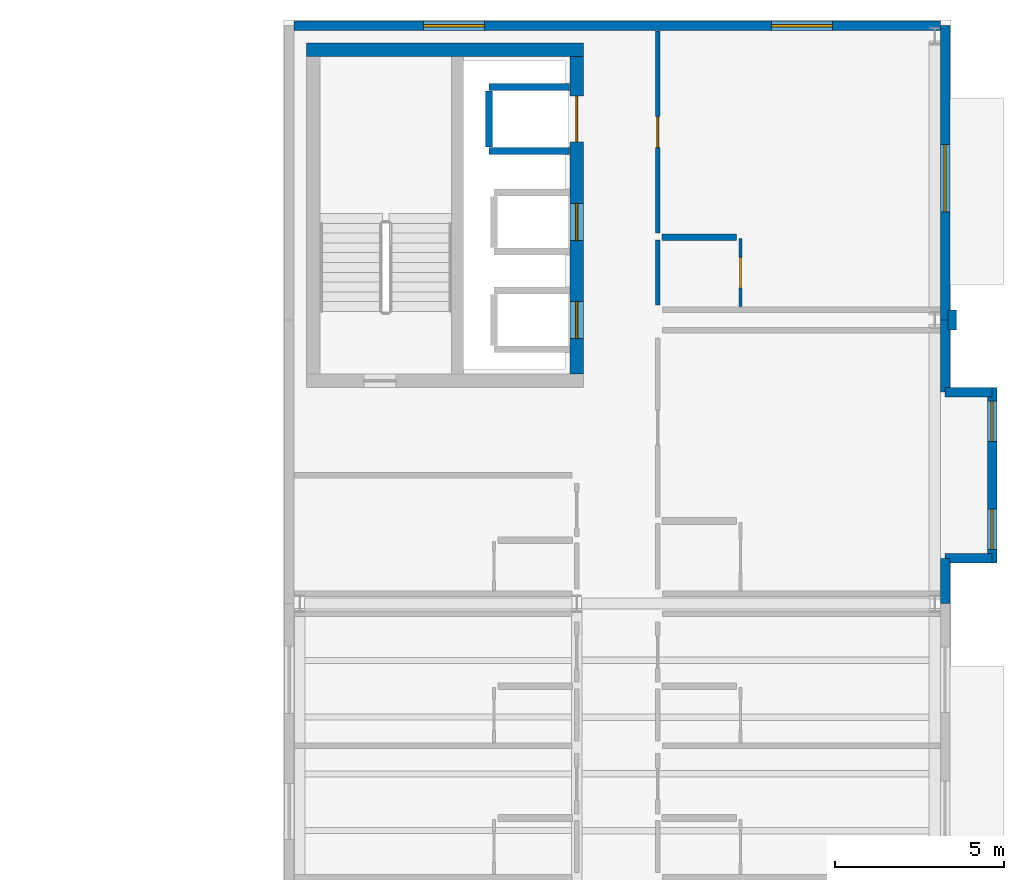
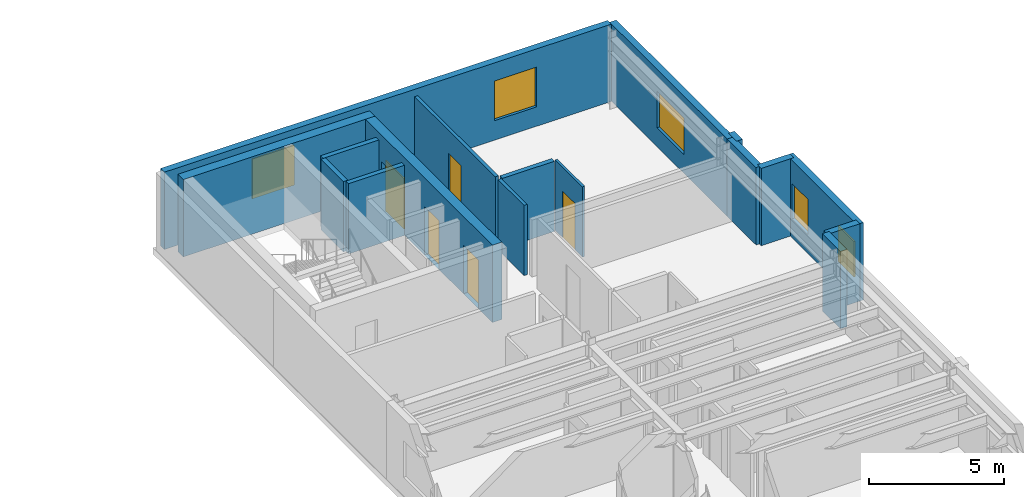
# One storey, part 12 of 17: 17 walls, 5 doors, 5 windows, 10 openings.
"""IFC4 building model written with IfcOpenShell, lengths in metres."""

import ifcopenshell
import ifcopenshell.guid

model = None  # the IFC model being written
_history = None  # IfcOwnerHistory: only IFC2X3 demands one
_inside = {}  # id of a spatial element -> (the spatial element, [elements in it])
_under = {}  # id of a project, library or spatial element -> (it, [spatial elements below it])
_declared = {}  # id of a project -> (the project, [libraries it declares])
_typed = {}  # id of a type object -> (the type object, [elements of that type])
_made_of = {}  # id of a material, layer set ... -> (it, [elements and type objects made of it])


def new_model(schema):
    """Start an empty IFC model of exactly this schema.

    Asked for "IFC4X3", IfcOpenShell would pick the latest addendum, in which some entities
    have other attributes; the version numbers below select the first issue.
    IFC2X3 requires an IfcOwnerHistory on every rooted entity: one is made here for all.
    """
    global model, _history
    if schema == "IFC4X3":
        model = ifcopenshell.file(schema_version=(4, 3, 0, 0))
    else:
        model = ifcopenshell.file(schema=schema)
    _inside.clear()
    _under.clear()
    _declared.clear()
    _typed.clear()
    _made_of.clear()
    _history = None
    if model.schema == "IFC2X3":
        org = make("IfcOrganization", Name="unknown")
        user = make(
            "IfcPersonAndOrganization",
            ThePerson=make("IfcPerson", FamilyName="unknown"),
            TheOrganization=org,
        )
        app = make(
            "IfcApplication",
            ApplicationDeveloper=org,
            Version="unknown",
            ApplicationFullName="unknown",
            ApplicationIdentifier="unknown",
        )
        _history = make(
            "IfcOwnerHistory",
            OwningUser=user,
            OwningApplication=app,
            ChangeAction="ADDED",
            CreationDate=0,
        )
    return model


def make(cls, **values):
    """One entity of the class cls with the attributes given. An attribute that is None is left unset."""
    return model.create_entity(
        cls, **{name: value for name, value in values.items() if value is not None}
    )


def rooted(cls, **values):
    """An entity with a GlobalId (a new one), such as an element, a storey or a relation."""
    return make(cls, GlobalId=ifcopenshell.guid.new(), OwnerHistory=_history, **values)


def si_unit(unit_type, name, prefix=None):
    """IfcSIUnit, for example si_unit("LENGTHUNIT", "METRE", prefix="MILLI")."""
    return make("IfcSIUnit", UnitType=unit_type, Prefix=prefix, Name=name)


def assignment(units):
    """IfcUnitAssignment: the units of a project."""
    return None if units is None else make("IfcUnitAssignment", Units=units)


def point(xyz):
    """IfcCartesianPoint."""
    return None if xyz is None else make("IfcCartesianPoint", Coordinates=xyz)


def direction(xyz):
    """IfcDirection."""
    return None if xyz is None else make("IfcDirection", DirectionRatios=xyz)


def frame(location, z_axis=None, x_axis=None):
    """IfcAxis2Placement3D, a coordinate frame: its origin and axes. An axis left out is left unset."""
    return make(
        "IfcAxis2Placement3D",
        Location=point(location),
        Axis=direction(z_axis),
        RefDirection=direction(x_axis),
    )


def frame_2d(location, x_axis=None):
    """IfcAxis2Placement2D, a coordinate frame in the plane: its origin and x axis."""
    return make(
        "IfcAxis2Placement2D", Location=point(location), RefDirection=direction(x_axis)
    )


def origin():
    """The frame at (0, 0, 0) with its axes left unset."""
    return frame((0.0, 0.0, 0.0))


def place(relative_to, where):
    """IfcLocalPlacement: puts the frame where relative to a parent placement (None: the world)."""
    return make(
        "IfcLocalPlacement", PlacementRelTo=relative_to, RelativePlacement=where
    )


def context(
    kind, dimensions, precision=None, world=None, true_north=None, identifier=None
):
    """IfcGeometricRepresentationContext, for example the 3D "Model" context."""
    return make(
        "IfcGeometricRepresentationContext",
        ContextIdentifier=identifier,
        ContextType=kind,
        CoordinateSpaceDimension=dimensions,
        Precision=precision,
        WorldCoordinateSystem=world,
        TrueNorth=true_north,
    )


def subcontext(parent, identifier, kind, view, scale=None):
    """IfcGeometricRepresentationSubContext, for example "Body" below "Model"."""
    return make(
        "IfcGeometricRepresentationSubContext",
        ContextIdentifier=identifier,
        ContextType=kind,
        ParentContext=parent,
        TargetScale=scale,
        TargetView=view,
    )


def project(units=None, contexts=None):
    """IfcProject with its units and contexts."""
    return rooted(
        "IfcProject",
        Name="project",
        RepresentationContexts=contexts,
        UnitsInContext=assignment(units),
    )


def spatial(cls, under=None, at=None, **own):
    """A site, building, storey or space (cls), placed at a placement, below another one or the project."""
    s = rooted(cls, ObjectPlacement=at, **own)
    if under is not None:
        _under.setdefault(under.id(), (under, []))[1].append(s)
    return s


def profile(cls, at=None, kind="AREA", **sizes):
    """A parametric profile (cls). Its sizes go by their IFC names, for example OverallWidth=200.0."""
    return make(cls, ProfileType=kind, Position=at, **sizes)


def rectangle(**sizes):
    """IfcRectangleProfileDef."""
    return profile("IfcRectangleProfileDef", **sizes)


def extrude(swept, where, along, depth):
    """IfcExtrudedAreaSolid: the profile swept, set in the frame where, extruded along a direction by depth."""
    return make(
        "IfcExtrudedAreaSolid",
        SweptArea=swept,
        Position=where,
        ExtrudedDirection=direction(along),
        Depth=depth,
    )


def shape(context_of_items, identifier, shape_type, items):
    """IfcShapeRepresentation: the items that make up one representation, for example the "Body"."""
    return make(
        "IfcShapeRepresentation",
        ContextOfItems=context_of_items,
        RepresentationIdentifier=identifier,
        RepresentationType=shape_type,
        Items=items,
    )


def material(Name=None, Category=None):
    """IfcMaterial."""
    return make("IfcMaterial", Name=Name, Category=Category)


def layer(
    of_material, thickness, ventilated=None, Name=None, Category=None, Priority=None
):
    """IfcMaterialLayer: one layer of a wall or slab, of a material (None: an air gap)."""
    return make(
        "IfcMaterialLayer",
        Material=of_material,
        LayerThickness=thickness,
        IsVentilated=ventilated,
        Name=Name,
        Category=Category,
        Priority=Priority,
    )


def layer_set(layers, Name=None):
    """IfcMaterialLayerSet."""
    return make("IfcMaterialLayerSet", MaterialLayers=layers, LayerSetName=Name)


def made_of(thing, what):
    """Note that an element or type object is made of a material, layer set ...; save() writes the relation."""
    if what is not None:
        _made_of.setdefault(what.id(), (what, []))[1].append(thing)
    return thing


def type_object(cls, material=None, **own):
    """A type object (cls), such as IfcWallType, which elements share."""
    return made_of(rooted(cls, **own), material)


def element(
    cls,
    number,
    at=None,
    inside=None,
    cuts=None,
    type_object=None,
    material=None,
    context=None,
    identifier="Body",
    shape_type=None,
    held_by="IfcProductDefinitionShape",
    body=None,
    shapes=None,
    **own,
):
    """One element of the class cls, such as IfcWall. Its Tag is "e" and its number.

    at: its placement. inside: the storey or other place that contains it. cuts: it is an
    opening in that element (IfcRelVoidsElement). A single representation is given by context,
    identifier, shape_type and body (its items); several are given by shapes. held_by: the class
    of the entity that holds the representations. save() writes the other relations.
    """
    e = rooted(cls, Tag="e%d" % number, ObjectPlacement=at, **own)
    if body is not None:
        shapes = [shape(context, identifier, shape_type, body)]
    if shapes is not None:
        e.Representation = make(held_by, Representations=shapes)
    if inside is not None:
        _inside.setdefault(inside.id(), (inside, []))[1].append(e)
    if cuts is not None:
        rooted(
            "IfcRelVoidsElement", RelatingBuildingElement=cuts, RelatedOpeningElement=e
        )
    if type_object is not None:
        _typed.setdefault(type_object.id(), (type_object, []))[1].append(e)
    return made_of(e, material)


def fill(opening, filler):
    """IfcRelFillsElement: the door or window that sits in an opening."""
    return rooted(
        "IfcRelFillsElement",
        RelatingOpeningElement=opening,
        RelatedBuildingElement=filler,
    )


def aggregate(whole, parts):
    """IfcRelAggregates: a whole, such as a stair, and the parts it consists of."""
    return rooted("IfcRelAggregates", RelatingObject=whole, RelatedObjects=parts)


def save(model, path):
    """Write the relations noted so far, then the file.

    IfcRelAggregates (storeys below a building ...), IfcRelContainedInSpatialStructure (elements
    in a storey), IfcRelDefinesByType, IfcRelAssociatesMaterial and IfcRelDeclares: one each for
    every whole, place, type object, material and project.
    """
    for whole, parts in _under.values():
        aggregate(whole, parts)
    for where, things in _inside.values():
        rooted(
            "IfcRelContainedInSpatialStructure",
            RelatedElements=things,
            RelatingStructure=where,
        )
    for kind, things in _typed.values():
        rooted("IfcRelDefinesByType", RelatedObjects=things, RelatingType=kind)
    for what, things in _made_of.values():
        rooted("IfcRelAssociatesMaterial", RelatedObjects=things, RelatingMaterial=what)
    for by, libraries in _declared.values():
        rooted("IfcRelDeclares", RelatingContext=by, RelatedDefinitions=libraries)
    model.write(path)


model = new_model("IFC4")

# Units and contexts
model_context = context("Model", 3, precision=1e-05, world=origin(), true_north=direction((0.0, 1.0)))
body_context = subcontext(model_context, "Body", "Model", "MODEL_VIEW")
ifc_project = project(units=[si_unit("LENGTHUNIT", "METRE"), si_unit("AREAUNIT", "SQUARE_METRE"), si_unit("VOLUMEUNIT", "CUBIC_METRE"), si_unit("PLANEANGLEUNIT", "RADIAN"), si_unit("MASSUNIT", "GRAM", prefix="KILO")], contexts=[model_context])

# Site, building, storey
site_placement = place(None, origin())
site = spatial("IfcSite", under=ifc_project, at=site_placement, CompositionType="ELEMENT")
building_placement = place(site_placement, origin())
building = spatial("IfcBuilding", under=site, at=building_placement, Name="Sollismere Congress Hotel", CompositionType="ELEMENT")
storey_placement = place(building_placement, frame((0.0, 0.0, 41.10009765625)))
storey = spatial("IfcBuildingStorey", under=building, at=storey_placement, Name="L10", CompositionType="ELEMENT", Elevation=41.10009765625)

# Walls
ifc_material_1 = material(Name="Colorado Buff Sandstone Rainscreen on Insulated Backup", Category="masonry")
ifc_layer_1 = layer(ifc_material_1, 0.284912109375, Name="Colorado Buff Sandstone Rainscreen on Insulated Backup")
ifc_layer_set_1 = layer_set([ifc_layer_1], Name="Colorado Buff Sandstone Rainscreen on Insulated Backup")
wall_type_1 = type_object("IfcWallType", Name="WL-EXT285", PredefinedType="STANDARD", material=ifc_layer_set_1)
wall_1_placement = place(storey_placement, frame((166.31005859375, 33.199951171875, 0.0), z_axis=(0.0, 0.0, 1.0), x_axis=(0.0, 1.0, 0.0)))
element("IfcWall", 1, at=wall_1_placement, inside=storey, type_object=wall_type_1, Name="Exterior wall EW-L10-977", PredefinedType="STANDARD", context=body_context, shape_type="SweptSolid", body=[
    extrude(rectangle(XDim=1.340087890625, YDim=0.284912109375, at=frame_2d((0.669921875, 0.0))), origin(), (0.0, 0.0, 1.0), 3.5),
])
wall_2_placement = place(storey_placement, frame((166.31005859375, 39.4599609375, 0.0), z_axis=(0.0, 0.0, 1.0), x_axis=(0.0, 1.0, 0.0)))
element("IfcWall", 2, at=wall_2_placement, inside=storey, type_object=wall_type_1, Name="Exterior wall EW-L10-978", PredefinedType="STANDARD", context=body_context, shape_type="SweptSolid", body=[
    extrude(rectangle(XDim=2.14013671875, YDim=0.284912109375, at=frame_2d((1.070068359375, 0.0))), origin(), (0.0, 0.0, 1.0), 3.5),
])

# Wall, openings, windows
wall_3_placement = place(storey_placement, frame((167.699951171875, 34.39990234375, 0.0), z_axis=(0.0, 0.0, 1.0), x_axis=(0.0, 1.0, 0.0)))
wall_3 = element("IfcWall", 3, at=wall_3_placement, inside=storey, type_object=wall_type_1, Name="Exterior wall EW-L10-979", PredefinedType="STANDARD", context=body_context, shape_type="SweptSolid", body=[
    extrude(rectangle(XDim=5.2001953125, YDim=0.284912109375, at=frame_2d((2.60009765625, 0.0))), origin(), (0.0, 0.0, 1.0), 3.5),
])
opening_1_placement = place(wall_3_placement, frame((0.39990234375, 0.0, 0.85009765625)))
opening_1 = element("IfcOpeningElement", 4, at=opening_1_placement, cuts=wall_3, Name="Opening W-L10-697", PredefinedType="OPENING", context=body_context, shape_type="SweptSolid", body=[
    extrude(rectangle(XDim=1.199951171875, YDim=1.60009765625, at=frame_2d((0.60009765625, 0.800048828125))), frame((0.0, 0.15234375, 0.0), z_axis=(0.0, -1.0, 0.0), x_axis=(1.0, 0.0, 0.0)), (0.0, 0.0, 1.0), 0.304931640625),
])
opening_2_placement = place(wall_3_placement, frame((3.60009765625, 0.0, 0.85009765625)))
opening_2 = element("IfcOpeningElement", 5, at=opening_2_placement, cuts=wall_3, Name="Opening W-L10-698", PredefinedType="OPENING", context=body_context, shape_type="SweptSolid", body=[
    extrude(rectangle(XDim=1.199951171875, YDim=1.60009765625, at=frame_2d((0.60009765625, 0.800048828125))), frame((0.0, 0.15234375, 0.0), z_axis=(0.0, -1.0, 0.0), x_axis=(1.0, 0.0, 0.0)), (0.0, 0.0, 1.0), 0.304931640625),
])
ifc_material_2 = material(Name="Thermally Broken Bronze Aluminum & Low-E Glass", Category="aluminium")
window_type_1 = type_object("IfcWindowType", Name="WN-P120x160", PartitioningType="SINGLE_PANEL", PredefinedType="WINDOW", material=ifc_material_2)
window_1_placement = place(opening_1_placement, origin())
window_1 = element("IfcWindow", 6, at=window_1_placement, inside=storey, type_object=window_type_1, Name="WIN-W-L10-697", OverallHeight=1.60009765625, OverallWidth=1.199951171875, PartitioningType="SINGLE_PANEL", PredefinedType="WINDOW", context=body_context, shape_type="SweptSolid", body=[
    extrude(rectangle(XDim=1.199951171875, YDim=1.60009765625, at=frame_2d((0.60009765625, 0.800048828125))), frame((0.0, 0.030029296875, 0.0), z_axis=(0.0, -1.0, 0.0), x_axis=(1.0, 0.0, 0.0)), (0.0, 0.0, 1.0), 0.06005859375),
])
fill(opening_1, window_1)
window_2_placement = place(opening_2_placement, origin())
window_2 = element("IfcWindow", 7, at=window_2_placement, inside=storey, type_object=window_type_1, Name="WIN-W-L10-698", OverallHeight=1.60009765625, OverallWidth=1.199951171875, PartitioningType="SINGLE_PANEL", PredefinedType="WINDOW", context=body_context, shape_type="SweptSolid", body=[
    extrude(rectangle(XDim=1.199951171875, YDim=1.60009765625, at=frame_2d((0.60009765625, 0.800048828125))), frame((0.0, 0.030029296875, 0.0), z_axis=(0.0, -1.0, 0.0), x_axis=(1.0, 0.0, 0.0)), (0.0, 0.0, 1.0), 0.06005859375),
])
fill(opening_2, window_2)

# Walls
for number, where, z_axis, x_axis, name in (
    (8, (166.31005859375, 34.5400390625, 0.0), (0.0, 0.0, 1.0), (1.0, 0.0, 0.0), "Exterior wall EW-L10-980"),
    (9, (167.699951171875, 39.4599609375, 0.0), (0.0, 0.0, 1.0), (-1.0, 0.0, 0.0), "Exterior wall EW-L10-981"),
):
    element("IfcWall", number, at=place(storey_placement, frame(where, z_axis=z_axis, x_axis=x_axis)), inside=storey, type_object=wall_type_1, Name=name, PredefinedType="STANDARD", context=body_context, shape_type="SweptSolid", body=[
        extrude(rectangle(XDim=1.389892578125, YDim=0.284912109375, at=frame_2d((0.69482421875, 0.0))), origin(), (0.0, 0.0, 1.0), 3.5),
    ])

# Wall, opening, window
wall_4_placement = place(storey_placement, frame((166.31005859375, 41.60009765625, 0.0), z_axis=(0.0, 0.0, 1.0), x_axis=(0.0, 1.0, 0.0)))
wall_4 = element("IfcWall", 10, at=wall_4_placement, inside=storey, type_object=wall_type_1, Name="Exterior wall EW-L10-982", PredefinedType="STANDARD", context=body_context, shape_type="SweptSolid", body=[
    extrude(rectangle(XDim=8.7099609375, YDim=0.284912109375, at=frame_2d((4.35498046875, 0.0))), origin(), (0.0, 0.0, 1.0), 3.5),
])
opening_3_placement = place(wall_4_placement, frame((3.199951171875, 0.0, 0.85009765625)))
opening_3 = element("IfcOpeningElement", 11, at=opening_3_placement, cuts=wall_4, Name="Opening W-L10-699", PredefinedType="OPENING", context=body_context, shape_type="SweptSolid", body=[
    extrude(rectangle(XDim=2.0, YDim=1.64990234375, at=frame_2d((1.0, 0.824951171875))), frame((0.0, 0.15234375, 0.0), z_axis=(0.0, -1.0, 0.0), x_axis=(1.0, 0.0, 0.0)), (0.0, 0.0, 1.0), 0.304931640625),
])
window_type_2 = type_object("IfcWindowType", Name="WN-P200x165", PartitioningType="SINGLE_PANEL", PredefinedType="WINDOW", material=ifc_material_2)
window_3_placement = place(opening_3_placement, origin())
window_3 = element("IfcWindow", 12, at=window_3_placement, inside=storey, type_object=window_type_2, Name="WIN-W-L10-699", OverallHeight=1.64990234375, OverallWidth=2.0, PartitioningType="SINGLE_PANEL", PredefinedType="WINDOW", context=body_context, shape_type="SweptSolid", body=[
    extrude(rectangle(XDim=2.0, YDim=1.64990234375, at=frame_2d((1.0, 0.824951171875))), frame((0.0, 0.030029296875, 0.0), z_axis=(0.0, -1.0, 0.0), x_axis=(1.0, 0.0, 0.0)), (0.0, 0.0, 1.0), 0.06005859375),
])
fill(opening_3, window_3)

# Wall, openings, windows
wall_5_placement = place(storey_placement, frame((166.16552734375, 50.31005859375, 0.0), z_axis=(0.0, 0.0, 1.0), x_axis=(-1.0, 0.0, 0.0)))
wall_5 = element("IfcWall", 13, at=wall_5_placement, inside=storey, type_object=wall_type_1, Name="Exterior wall EW-L10-996", PredefinedType="STANDARD", context=body_context, shape_type="SweptSolid", body=[
    extrude(rectangle(XDim=19.131103515625, YDim=0.284912109375, at=frame_2d((9.5654296875, 0.0))), origin(), (0.0, 0.0, 1.0), 3.5),
])
opening_4_placement = place(wall_5_placement, frame((3.199951171875, 0.0, 0.8798828125)))
opening_4 = element("IfcOpeningElement", 14, at=opening_4_placement, cuts=wall_5, Name="Opening W-L10-710", PredefinedType="OPENING", context=body_context, shape_type="SweptSolid", body=[
    extrude(rectangle(XDim=1.800048828125, YDim=1.800048828125, at=frame_2d((0.89990234375, 0.89990234375))), frame((0.0, 0.15234375, 0.0), z_axis=(0.0, -1.0, 0.0), x_axis=(1.0, 0.0, 0.0)), (0.0, 0.0, 1.0), 0.304931640625),
])
opening_5_placement = place(wall_5_placement, frame((13.5, 0.0, 0.8798828125)))
opening_5 = element("IfcOpeningElement", 15, at=opening_5_placement, cuts=wall_5, Name="Opening W-L10-711", PredefinedType="OPENING", context=body_context, shape_type="SweptSolid", body=[
    extrude(rectangle(XDim=1.800048828125, YDim=1.800048828125, at=frame_2d((0.89990234375, 0.89990234375))), frame((0.0, 0.15234375, 0.0), z_axis=(0.0, -1.0, 0.0), x_axis=(1.0, 0.0, 0.0)), (0.0, 0.0, 1.0), 0.304931640625),
])
window_type_3 = type_object("IfcWindowType", Name="WN-P180x180", PartitioningType="SINGLE_PANEL", PredefinedType="WINDOW", material=ifc_material_2)
window_4_placement = place(opening_4_placement, origin())
window_4 = element("IfcWindow", 16, at=window_4_placement, inside=storey, type_object=window_type_3, Name="WIN-W-L10-710", OverallHeight=1.800048828125, OverallWidth=1.800048828125, PartitioningType="SINGLE_PANEL", PredefinedType="WINDOW", context=body_context, shape_type="SweptSolid", body=[
    extrude(rectangle(XDim=1.800048828125, YDim=1.800048828125, at=frame_2d((0.89990234375, 0.89990234375))), frame((0.0, 0.030029296875, 0.0), z_axis=(0.0, -1.0, 0.0), x_axis=(1.0, 0.0, 0.0)), (0.0, 0.0, 1.0), 0.06005859375),
])
fill(opening_4, window_4)
window_5_placement = place(opening_5_placement, origin())
window_5 = element("IfcWindow", 17, at=window_5_placement, inside=storey, type_object=window_type_3, Name="WIN-W-L10-711", OverallHeight=1.800048828125, OverallWidth=1.800048828125, PartitioningType="SINGLE_PANEL", PredefinedType="WINDOW", context=body_context, shape_type="SweptSolid", body=[
    extrude(rectangle(XDim=1.800048828125, YDim=1.800048828125, at=frame_2d((0.89990234375, 0.89990234375))), frame((0.0, 0.030029296875, 0.0), z_axis=(0.0, -1.0, 0.0), x_axis=(1.0, 0.0, 0.0)), (0.0, 0.0, 1.0), 0.06005859375),
])
fill(opening_5, window_5)

# Walls
ifc_material_3 = material(Name="Carved Travertine Pilaster & Frieze Assembly", Category="masonry")
ifc_layer_2 = layer(ifc_material_3, 0.260009765625, Name="Carved Travertine Pilaster & Frieze Assembly")
ifc_layer_set_2 = layer_set([ifc_layer_2], Name="Carved Travertine Pilaster & Frieze Assembly")
wall_type_2 = type_object("IfcWallType", Name="WL-PIL280", PredefinedType="ELEMENTEDWALL", material=ifc_layer_set_2)
wall_6_placement = place(storey_placement, frame((166.52001953125, 41.300048828125, 0.0), z_axis=(0.0, 0.0, 1.0), x_axis=(0.0, 1.0, 0.0)))
element("IfcWall", 18, at=wall_6_placement, inside=storey, type_object=wall_type_2, Name="Exterior wall EW-L10-983", PredefinedType="ELEMENTEDWALL", context=body_context, shape_type="SweptSolid", body=[
    extrude(rectangle(XDim=0.599853515625, YDim=0.260009765625, at=frame_2d((0.2998046875, 0.0))), origin(), (0.0, 0.0, 1.0), 3.5),
])
ifc_material_4 = material(Name="Moisture-Resistant Shaft Gypsum Assembly")
ifc_layer_3 = layer(ifc_material_4, 0.199951171875, Name="Moisture-Resistant Shaft Gypsum Assembly")
ifc_layer_set_3 = layer_set([ifc_layer_3], Name="Moisture-Resistant Shaft Gypsum Assembly")
wall_type_3 = type_object("IfcWallType", Name="WL-PLM200", PredefinedType="PLUMBINGWALL", material=ifc_layer_set_3)
for number, where, z_axis, x_axis, name in (
    (19, (152.800048828125, 46.60498046875, 0.0), (0.0, 0.0, 1.0), (1.0, 0.0, 0.0), "Interior wall IW-L10-0543"),
    (20, (152.800048828125, 48.4951171875, 0.0), (0.0, 0.0, 1.0), (1.0, 0.0, 0.0), "Interior wall IW-L10-0544"),
):
    element("IfcWall", number, at=place(storey_placement, frame(where, z_axis=z_axis, x_axis=x_axis)), inside=storey, type_object=wall_type_3, Name=name, PredefinedType="PLUMBINGWALL", context=body_context, shape_type="SweptSolid", body=[
        extrude(rectangle(XDim=2.387939453125, YDim=0.199951171875, at=frame_2d((1.19384765625, 0.0))), origin(), (0.0, 0.0, 1.0), 3.179931640625),
    ])
wall_7_placement = place(storey_placement, frame((152.800048828125, 46.717041015625, 0.0), z_axis=(0.0, 0.0, 1.0), x_axis=(0.0, 1.0, 0.0)))
element("IfcWall", 21, at=wall_7_placement, inside=storey, type_object=wall_type_3, Name="Interior wall IW-L10-0545", PredefinedType="PLUMBINGWALL", context=body_context, shape_type="SweptSolid", body=[
    extrude(rectangle(XDim=1.666015625, YDim=0.199951171875, at=frame_2d((0.8330078125, 0.0))), origin(), (0.0, 0.0, 1.0), 3.179931640625),
])
wall_8_placement = place(storey_placement, frame((157.919921875, 44.050048828125, 0.0), z_axis=(0.0, 0.0, 1.0), x_axis=(1.0, 0.0, 0.0)))
element("IfcWall", 22, at=wall_8_placement, inside=storey, type_object=wall_type_3, Name="Interior wall IW-L10-2860", PredefinedType="PLUMBINGWALL", context=body_context, shape_type="SweptSolid", body=[
    extrude(rectangle(XDim=2.2099609375, YDim=0.199951171875, at=frame_2d((1.10498046875, 0.0))), origin(), (0.0, 0.0, 1.0), 3.179931640625),
])

# Wall, opening, door
ifc_material_5 = material(Name="Moisture-Resistant Gypsum Partition")
ifc_layer_4 = layer(ifc_material_5, 0.10009765625, Name="Moisture-Resistant Gypsum Partition")
ifc_layer_set_4 = layer_set([ifc_layer_4], Name="Moisture-Resistant Gypsum Partition")
wall_type_4 = type_object("IfcWallType", Name="WL-PRT100", PredefinedType="PARTITIONING", material=ifc_layer_set_4)
wall_9_placement = place(storey_placement, frame((160.25, 41.994384765625, 0.0), z_axis=(0.0, 0.0, 1.0), x_axis=(0.0, 1.0, 0.0)))
wall_9 = element("IfcWall", 23, at=wall_9_placement, inside=storey, type_object=wall_type_4, Name="Interior wall IW-L10-2861", PredefinedType="PARTITIONING", context=body_context, shape_type="SweptSolid", body=[
    extrude(rectangle(XDim=2.015625, YDim=0.10009765625, at=frame_2d((1.0078125, 0.0))), origin(), (0.0, 0.0, 1.0), 3.179931640625),
])
opening_6_placement = place(wall_9_placement, frame((0.554931640625, 0.0, 0.0)))
opening_6 = element("IfcOpeningElement", 24, at=opening_6_placement, cuts=wall_9, Name="Opening D-L10-1011", PredefinedType="OPENING", context=body_context, shape_type="SweptSolid", body=[
    extrude(rectangle(XDim=0.905029296875, YDim=2.10009765625, at=frame_2d((0.45263671875, 1.050048828125))), frame((0.0, 0.06005859375, 0.0), z_axis=(0.0, -1.0, 0.0), x_axis=(1.0, 0.0, 0.0)), (0.0, 0.0, 1.0), 0.1201171875),
])
ifc_material_6 = material(Name="Moisture-Sealed Timber Bathroom Door", Category="wood")
door_type_1 = type_object("IfcDoorType", Name="DR-BT02", OperationType="NOTDEFINED", PredefinedType="DOOR", material=ifc_material_6)
door_1_placement = place(opening_6_placement, origin())
door_1 = element("IfcDoor", 25, at=door_1_placement, inside=storey, type_object=door_type_1, Name="En-suite bathroom door D-L10-1011", OperationType="SINGLE_SWING_RIGHT", OverallHeight=2.10009765625, OverallWidth=0.905029296875, PredefinedType="DOOR", context=body_context, shape_type="SweptSolid", body=[
    extrude(rectangle(XDim=0.905029296875, YDim=2.10009765625, at=frame_2d((0.45263671875, 1.050048828125))), frame((0.0, 0.02490234375, 0.0), z_axis=(0.0, -1.0, 0.0), x_axis=(1.0, 0.0, 0.0)), (0.0, 0.0, 1.0), 0.050048828125),
])
fill(opening_6, door_1)

# Wall
ifc_material_7 = material(Name="Fire-Rated Gypsum Partition")
ifc_layer_5 = layer(ifc_material_7, 0.139892578125, Name="Fire-Rated Gypsum Partition")
ifc_layer_set_5 = layer_set([ifc_layer_5], Name="Fire-Rated Gypsum Partition")
wall_type_5 = type_object("IfcWallType", Name="WL-PRT140R", PredefinedType="PARTITIONING", material=ifc_layer_set_5)
wall_10_placement = place(storey_placement, frame((157.800048828125, 42.0400390625, 0.0), z_axis=(0.0, 0.0, 1.0), x_axis=(0.0, 1.0, 0.0)))
element("IfcWall", 26, at=wall_10_placement, inside=storey, type_object=wall_type_5, Name="Interior wall IW-L10-2857", PredefinedType="PARTITIONING", context=body_context, shape_type="SweptSolid", body=[
    extrude(rectangle(XDim=1.929931640625, YDim=0.139892578125, at=frame_2d((0.96484375, 0.0))), origin(), (0.0, 0.0, 1.0), 3.179931640625),
])

# Wall, opening, door
wall_11_placement = place(storey_placement, frame((157.800048828125, 44.169921875, 0.0), z_axis=(0.0, 0.0, 1.0), x_axis=(0.0, 1.0, 0.0)))
wall_11 = element("IfcWall", 27, at=wall_11_placement, inside=storey, type_object=wall_type_5, Name="Interior wall IW-L10-2858", PredefinedType="PARTITIONING", context=body_context, shape_type="SweptSolid", body=[
    extrude(rectangle(XDim=5.982666015625, YDim=0.139892578125, at=frame_2d((2.9912109375, 0.0))), origin(), (0.0, 0.0, 1.0), 3.179931640625),
])
opening_7_placement = place(wall_11_placement, frame((2.531005859375, 0.0, 0.0)))
opening_7 = element("IfcOpeningElement", 28, at=opening_7_placement, cuts=wall_11, Name="Opening D-L10-1010", PredefinedType="OPENING", context=body_context, shape_type="SweptSolid", body=[
    extrude(rectangle(XDim=0.919921875, YDim=2.14990234375, at=frame_2d((0.4599609375, 1.074951171875))), frame((0.0, 0.079833984375, 0.0), z_axis=(0.0, -1.0, 0.0), x_axis=(1.0, 0.0, 0.0)), (0.0, 0.0, 1.0), 0.159912109375),
])
ifc_material_8 = material(Name="Solid-Core Acoustic Walnut Guestroom Entry Door")
door_type_2 = type_object("IfcDoorType", Name="DR-KY01", OperationType="NOTDEFINED", PredefinedType="DOOR", material=ifc_material_8)
door_2_placement = place(opening_7_placement, origin())
door_2 = element("IfcDoor", 29, at=door_2_placement, inside=storey, type_object=door_type_2, Name="Hotel room entry door D-L10-1010", OperationType="SINGLE_SWING_LEFT", OverallHeight=2.14990234375, OverallWidth=0.919921875, PredefinedType="DOOR", context=body_context, shape_type="SweptSolid", body=[
    extrude(rectangle(XDim=0.919921875, YDim=2.14990234375, at=frame_2d((0.4599609375, 1.074951171875))), frame((0.0, 0.02490234375, 0.0), z_axis=(0.0, -1.0, 0.0), x_axis=(1.0, 0.0, 0.0)), (0.0, 0.0, 1.0), 0.050048828125),
])
fill(opening_7, door_2)

# Wall
ifc_material_9 = material(Name="Concrete C50/60", Category="concrete")
ifc_layer_6 = layer(ifc_material_9, 0.39990234375, Name="Concrete C50/60")
ifc_layer_set_6 = layer_set([ifc_layer_6], Name="Concrete C50/60")
wall_type_6 = type_object("IfcWallType", Name="WL-SHR400", PredefinedType="SHEAR", material=ifc_layer_set_6)
wall_12_placement = place(storey_placement, frame((155.60009765625, 49.60009765625, 0.0), z_axis=(0.0, 0.0, 1.0), x_axis=(-1.0, 0.0, 0.0)))
element("IfcWall", 30, at=wall_12_placement, inside=storey, type_object=wall_type_6, Name="Interior wall IW-L10-0533", PredefinedType="SHEAR", context=body_context, shape_type="SweptSolid", body=[
    extrude(rectangle(XDim=8.2001953125, YDim=0.39990234375, at=frame_2d((4.10009765625, 0.0))), origin(), (0.0, 0.0, 1.0), 3.5),
])

# Wall, openings, doors
wall_13_placement = place(storey_placement, frame((155.39990234375, 40.0, 0.0), z_axis=(0.0, 0.0, 1.0), x_axis=(0.0, 1.0, 0.0)))
wall_13 = element("IfcWall", 31, at=wall_13_placement, inside=storey, type_object=wall_type_6, Name="Interior wall IW-L10-0535", PredefinedType="SHEAR", context=body_context, shape_type="SweptSolid", body=[
    extrude(rectangle(XDim=9.39990234375, YDim=0.39990234375, at=frame_2d((4.699951171875, 0.0))), origin(), (0.0, 0.0, 1.0), 3.5),
])
opening_8_placement = place(wall_13_placement, frame((1.050048828125, 0.0, 0.0)))
opening_8 = element("IfcOpeningElement", 32, at=opening_8_placement, cuts=wall_13, Name="Opening LD-LP-05-L10", PredefinedType="OPENING", context=body_context, shape_type="SweptSolid", body=[
    extrude(rectangle(XDim=1.10009765625, YDim=2.199951171875, at=frame_2d((0.550048828125, 1.10009765625))), frame((0.0, 0.2099609375, 0.0), z_axis=(0.0, -1.0, 0.0), x_axis=(1.0, 0.0, 0.0)), (0.0, 0.0, 1.0), 0.419921875),
])
opening_9_placement = place(wall_13_placement, frame((3.949951171875, 0.0, 0.0)))
opening_9 = element("IfcOpeningElement", 33, at=opening_9_placement, cuts=wall_13, Name="Opening LD-LP-06-L10", PredefinedType="OPENING", context=body_context, shape_type="SweptSolid", body=[
    extrude(rectangle(XDim=1.10009765625, YDim=2.199951171875, at=frame_2d((0.550048828125, 1.10009765625))), frame((0.0, 0.2099609375, 0.0), z_axis=(0.0, -1.0, 0.0), x_axis=(1.0, 0.0, 0.0)), (0.0, 0.0, 1.0), 0.419921875),
])
opening_10_placement = place(wall_13_placement, frame((6.875, 0.0, 0.0)))
opening_10 = element("IfcOpeningElement", 34, at=opening_10_placement, cuts=wall_13, Name="Opening LD-LS-02-L10", PredefinedType="OPENING", context=body_context, shape_type="SweptSolid", body=[
    extrude(rectangle(XDim=1.35009765625, YDim=2.300048828125, at=frame_2d((0.675048828125, 1.14990234375))), frame((0.0, 0.2099609375, 0.0), z_axis=(0.0, -1.0, 0.0), x_axis=(1.0, 0.0, 0.0)), (0.0, 0.0, 1.0), 0.419921875),
])
ifc_material_10 = material(Name="Brushed Bronze Sliding Elevator Landing Door")
door_type_3 = type_object("IfcDoorType", Name="DR-LD110", OperationType="NOTDEFINED", PredefinedType="DOOR", material=ifc_material_10)
door_3_placement = place(opening_8_placement, origin())
door_3 = element("IfcDoor", 35, at=door_3_placement, inside=storey, type_object=door_type_3, Name="Elevator landing door LD-LP-05-L10", OperationType="SLIDING_TO_LEFT", OverallHeight=2.199951171875, OverallWidth=1.10009765625, PredefinedType="DOOR", context=body_context, shape_type="SweptSolid", body=[
    extrude(rectangle(XDim=1.10009765625, YDim=2.199951171875, at=frame_2d((0.550048828125, 1.10009765625))), frame((0.0, 0.02490234375, 0.0), z_axis=(0.0, -1.0, 0.0), x_axis=(1.0, 0.0, 0.0)), (0.0, 0.0, 1.0), 0.050048828125),
])
fill(opening_8, door_3)
door_4_placement = place(opening_9_placement, origin())
door_4 = element("IfcDoor", 36, at=door_4_placement, inside=storey, type_object=door_type_3, Name="Elevator landing door LD-LP-06-L10", OperationType="SLIDING_TO_RIGHT", OverallHeight=2.199951171875, OverallWidth=1.10009765625, PredefinedType="DOOR", context=body_context, shape_type="SweptSolid", body=[
    extrude(rectangle(XDim=1.10009765625, YDim=2.199951171875, at=frame_2d((0.550048828125, 1.10009765625))), frame((0.0, 0.02490234375, 0.0), z_axis=(0.0, -1.0, 0.0), x_axis=(1.0, 0.0, 0.0)), (0.0, 0.0, 1.0), 0.050048828125),
])
fill(opening_9, door_4)
ifc_material_11 = material(Name="Heavy-Duty Stainless Sliding Service Landing Door")
door_type_4 = type_object("IfcDoorType", Name="DR-LD135", OperationType="NOTDEFINED", PredefinedType="DOOR", material=ifc_material_11)
door_5_placement = place(opening_10_placement, origin())
door_5 = element("IfcDoor", 37, at=door_5_placement, inside=storey, type_object=door_type_4, Name="Elevator landing door LD-LS-02-L10", OperationType="SLIDING_TO_LEFT", OverallHeight=2.300048828125, OverallWidth=1.35009765625, PredefinedType="DOOR", context=body_context, shape_type="SweptSolid", body=[
    extrude(rectangle(XDim=1.35009765625, YDim=2.300048828125, at=frame_2d((0.675048828125, 1.14990234375))), frame((0.0, 0.02490234375, 0.0), z_axis=(0.0, -1.0, 0.0), x_axis=(1.0, 0.0, 0.0)), (0.0, 0.0, 1.0), 0.050048828125),
])
fill(opening_10, door_5)

save(model, "model.ifc")
